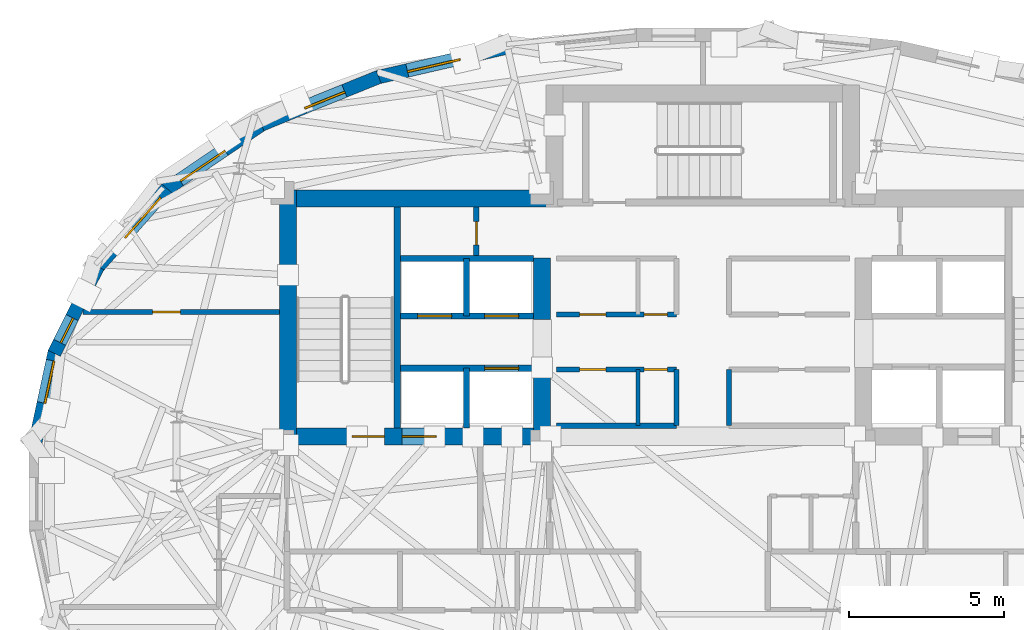
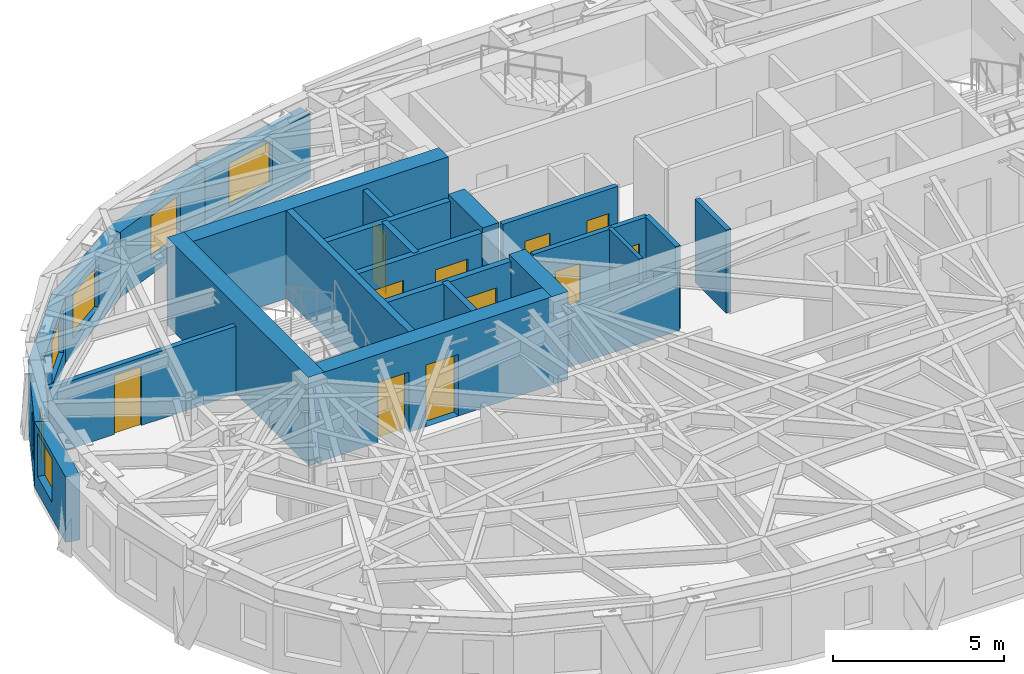
# One storey, part 7 of 13: 25 walls, 11 doors, 6 windows, 17 openings.
"""IFC4 building model written with IfcOpenShell, lengths in metres."""

from ifc_helpers import new_model, si_unit, direction, frame, frame_2d, origin, place, context, subcontext, project, spatial, rectangle, extrude, material, layer, layer_set, type_object, element, fill, save


model = new_model("IFC4")

# Units and contexts
model_context = context("Model", 3, precision=1e-05, world=origin(), true_north=direction((0.0, 1.0)))
body_context = subcontext(model_context, "Body", "Model", "MODEL_VIEW")
ifc_project = project(units=[si_unit("LENGTHUNIT", "METRE"), si_unit("AREAUNIT", "SQUARE_METRE"), si_unit("VOLUMEUNIT", "CUBIC_METRE"), si_unit("PLANEANGLEUNIT", "RADIAN"), si_unit("MASSUNIT", "GRAM", prefix="KILO")], contexts=[model_context])

# Site, building, storey
site_placement = place(None, origin())
site = spatial("IfcSite", under=ifc_project, at=site_placement, CompositionType="ELEMENT")
building_placement = place(site_placement, origin())
building = spatial("IfcBuilding", under=site, at=building_placement, Name="Keldmark Tower", CompositionType="ELEMENT")
storey_placement = place(building_placement, frame((0.0, 0.0, 244.64990234375)))
storey = spatial("IfcBuildingStorey", under=building, at=storey_placement, Name="L69", CompositionType="ELEMENT", Elevation=244.64990234375)

# Walls
ifc_material_1 = material(Name="Concrete C50/60", Category="concrete")
ifc_layer_1 = layer(ifc_material_1, 0.550048828125)
ifc_layer_set_1 = layer_set([ifc_layer_1], Name="Concrete C50/60")
wall_type_1 = type_object("IfcWallType", Name="High-Rise Core Shear Wall 550 mm", PredefinedType="SHEAR", material=ifc_layer_set_1)
wall_1_placement = place(storey_placement, frame((-13.425048828125, 1.300048828125, 0.0), z_axis=(0.0, 0.0, 1.0), x_axis=(0.0, 1.0, 0.0)))
element("IfcWall", 1, at=wall_1_placement, inside=storey, type_object=wall_type_1, Name="L69 West Core Outer Shear Wall", PredefinedType="SHEAR", context=body_context, shape_type="SweptSolid", body=[
    extrude(rectangle(XDim=8.25, YDim=0.550048828125, at=frame_2d((4.125, 0.0))), origin(), (0.0, 0.0, 1.0), 3.150146484375),
])
wall_2_placement = place(storey_placement, frame((-13.699951171875, 9.27490234375, 0.0), z_axis=(0.0, 0.0, 1.0), x_axis=(1.0, 0.0, 0.0)))
element("IfcWall", 2, at=wall_2_placement, inside=storey, type_object=wall_type_1, Name="L69 West Core North Shear Wall", PredefinedType="SHEAR", context=body_context, shape_type="SweptSolid", body=[
    extrude(rectangle(XDim=9.175048828125, YDim=0.550048828125, at=frame_2d((4.58740234375, 0.0))), origin(), (0.0, 0.0, 1.0), 3.150146484375),
])

# Wall, openings, doors
wall_3_placement = place(storey_placement, frame((-4.925048828125, 1.574951171875, 0.0), z_axis=(0.0, 0.0, 1.0), x_axis=(-1.0, 0.0, 0.0)))
wall_3 = element("IfcWall", 3, at=wall_3_placement, inside=storey, type_object=wall_type_1, Name="L69 West Core South Shear Wall", PredefinedType="SHEAR", context=body_context, shape_type="SweptSolid", body=[
    extrude(rectangle(XDim=8.77490234375, YDim=0.550048828125, at=frame_2d((4.387451171875, 0.0))), origin(), (0.0, 0.0, 1.0), 3.150146484375),
])
opening_1_placement = place(wall_3_placement, frame((5.375, 0.0, 0.0)))
opening_1 = element("IfcOpeningElement", 4, at=opening_1_placement, cuts=wall_3, Name="Opening D-ST105", PredefinedType="OPENING", context=body_context, shape_type="SweptSolid", body=[
    extrude(rectangle(XDim=1.050048828125, YDim=2.14990234375, at=frame_2d((0.52490234375, 1.074951171875))), frame((0.0, 0.284912109375, 0.0), z_axis=(0.0, -1.0, 0.0), x_axis=(1.0, 0.0, 0.0)), (0.0, 0.0, 1.0), 0.570068359375),
])
opening_2_placement = place(wall_3_placement, frame((3.705078125, 0.0, 0.0)))
opening_2 = element("IfcOpeningElement", 5, at=opening_2_placement, cuts=wall_3, Name="Opening LD-110", PredefinedType="OPENING", context=body_context, shape_type="SweptSolid", body=[
    extrude(rectangle(XDim=1.10009765625, YDim=2.199951171875, at=frame_2d((0.550048828125, 1.10009765625))), frame((0.0, 0.284912109375, 0.0), z_axis=(0.0, -1.0, 0.0), x_axis=(1.0, 0.0, 0.0)), (0.0, 0.0, 1.0), 0.570068359375),
])
ifc_material_2 = material(Name="Brushed Bronze Hoistway Sliding Leaf", Category="metal")
door_type_1 = type_object("IfcDoorType", Name="Lift Landing Sliding Door 1100x2200", OperationType="SLIDING_TO_LEFT", PredefinedType="DOOR", material=ifc_material_2)
door_1_placement = place(opening_2_placement, origin())
door_1 = element("IfcDoor", 6, at=door_1_placement, inside=storey, type_object=door_type_1, Name="L69 Lift Landing Sliding Door 1100x2200 LD-EL-FS1-L69", OperationType="SLIDING_TO_LEFT", OverallHeight=2.199951171875, OverallWidth=1.10009765625, PredefinedType="DOOR", context=body_context, shape_type="SweptSolid", body=[
    extrude(rectangle(XDim=1.10009765625, YDim=2.199951171875, at=frame_2d((0.550048828125, 1.10009765625))), frame((0.0, 0.02490234375, 0.0), z_axis=(0.0, -1.0, 0.0), x_axis=(1.0, 0.0, 0.0)), (0.0, 0.0, 1.0), 0.050048828125),
])
fill(opening_2, door_1)
ifc_material_3 = material(Name="Hollow Metal Fire-Rated Door Assembly", Category="metal")
door_type_2 = type_object("IfcDoorType", Name="Stair Fire Door 1050x2150", OperationType="NOTDEFINED", PredefinedType="DOOR", material=ifc_material_3)
door_2_placement = place(opening_1_placement, origin())
door_2 = element("IfcDoor", 7, at=door_2_placement, inside=storey, type_object=door_type_2, Name="L69 Stair Fire Door 1050x2150 D-ST1-L69", OperationType="SINGLE_SWING_RIGHT", OverallHeight=2.14990234375, OverallWidth=1.050048828125, PredefinedType="DOOR", context=body_context, shape_type="SweptSolid", body=[
    extrude(rectangle(XDim=1.050048828125, YDim=2.14990234375, at=frame_2d((0.52490234375, 1.074951171875))), frame((0.0, 0.02490234375, 0.0), z_axis=(0.0, -1.0, 0.0), x_axis=(1.0, 0.0, 0.0)), (0.0, 0.0, 1.0), 0.050048828125),
])
fill(opening_1, door_2)

# Walls
wall_4_placement = place(storey_placement, frame((-5.199951171875, 1.300048828125, 0.0), z_axis=(0.0, 0.0, 1.0), x_axis=(0.0, 1.0, 0.0)))
element("IfcWall", 8, at=wall_4_placement, inside=storey, type_object=wall_type_1, Name="L69 West Core Inner Shear Pier South", PredefinedType="SHEAR", context=body_context, shape_type="SweptSolid", body=[
    extrude(rectangle(XDim=2.5, YDim=0.550048828125, at=frame_2d((1.25, 0.0))), origin(), (0.0, 0.0, 1.0), 3.150146484375),
])
wall_5_placement = place(storey_placement, frame((-5.199951171875, 5.35009765625, 0.0), z_axis=(0.0, 0.0, 1.0), x_axis=(0.0, 1.0, 0.0)))
element("IfcWall", 9, at=wall_5_placement, inside=storey, type_object=wall_type_1, Name="L69 West Core Inner Shear Pier North", PredefinedType="SHEAR", context=body_context, shape_type="SweptSolid", body=[
    extrude(rectangle(XDim=2.0, YDim=0.550048828125, at=frame_2d((1.0, 0.0))), origin(), (0.0, 0.0, 1.0), 3.150146484375),
])
ifc_material_4 = material(Name="Acoustic Gypsum Board Interior Partition", Category="gypsum")
ifc_layer_2 = layer(ifc_material_4, 0.1298828125)
ifc_layer_set_2 = layer_set([ifc_layer_2], Name="Acoustic Gypsum Board Interior Partition")
wall_type_2 = type_object("IfcWallType", Name="Interior Partition 130 mm", PredefinedType="PARTITIONING", material=ifc_layer_set_2)
wall_6_placement = place(storey_placement, frame((-2.10009765625, 1.919921875, 0.0), z_axis=(0.0, 0.0, 1.0), x_axis=(0.0, 1.0, 0.0)))
element("IfcWall", 10, at=wall_6_placement, inside=storey, type_object=wall_type_2, Name="L69 Interior Partition 130 mm REC-LW-M", PredefinedType="PARTITIONING", context=body_context, shape_type="SweptSolid", body=[
    extrude(rectangle(XDim=1.820068359375, YDim=0.1298828125, at=frame_2d((0.91015625, 0.0))), origin(), (0.0, 0.0, 1.0), 2.97021484375),
])
ifc_material_5 = material(Name="Type X Fire-Rated Gypsum Partition Assembly", Category="gypsum")
ifc_layer_3 = layer(ifc_material_5, 0.1650390625)
ifc_layer_set_3 = layer_set([ifc_layer_3], Name="Type X Fire-Rated Gypsum Partition Assembly")
wall_type_3 = type_object("IfcWallType", Name="Rated Partition 165 mm", PredefinedType="PARTITIONING", material=ifc_layer_set_3)
wall_7_placement = place(storey_placement, frame((-4.739990234375, 1.919921875, 0.0), z_axis=(0.0, 0.0, 1.0), x_axis=(1.0, 0.0, 0.0)))
element("IfcWall", 11, at=wall_7_placement, inside=storey, type_object=wall_type_3, Name="L69 Rated Partition 165 mm REC-LW-S", PredefinedType="PARTITIONING", context=body_context, shape_type="SweptSolid", body=[
    extrude(rectangle(XDim=3.889892578125, YDim=0.1650390625, at=frame_2d((1.94482421875, 0.0))), origin(), (0.0, 0.0, 1.0), 2.110107421875),
])

# Wall, openings, doors
wall_8_placement = place(storey_placement, frame((-4.739990234375, 3.739990234375, 0.0), z_axis=(0.0, 0.0, 1.0), x_axis=(1.0, 0.0, 0.0)))
wall_8 = element("IfcWall", 12, at=wall_8_placement, inside=storey, type_object=wall_type_3, Name="L69 Rated Partition 165 mm REC-LW-N", PredefinedType="PARTITIONING", context=body_context, shape_type="SweptSolid", body=[
    extrude(rectangle(XDim=3.889892578125, YDim=0.1650390625, at=frame_2d((1.94482421875, 0.0))), origin(), (0.0, 0.0, 1.0), 2.97021484375),
])
opening_3_placement = place(wall_8_placement, frame((0.75, 0.0, 0.0)))
opening_3 = element("IfcOpeningElement", 13, at=opening_3_placement, cuts=wall_8, Name="Opening D-SV085", PredefinedType="OPENING", context=body_context, shape_type="SweptSolid", body=[
    extrude(rectangle(XDim=0.85009765625, YDim=2.10009765625, at=frame_2d((0.425048828125, 1.050048828125))), frame((0.0, 0.092529296875, 0.0), z_axis=(0.0, -1.0, 0.0), x_axis=(1.0, 0.0, 0.0)), (0.0, 0.0, 1.0), 0.18505859375),
])
opening_4_placement = place(wall_8_placement, frame((2.840087890625, 0.0, 0.0)))
opening_4 = element("IfcOpeningElement", 14, at=opening_4_placement, cuts=wall_8, Name="Opening D-RS075", PredefinedType="OPENING", context=body_context, shape_type="SweptSolid", body=[
    extrude(rectangle(XDim=0.75, YDim=2.10009765625, at=frame_2d((0.375, 1.050048828125))), frame((0.0, 0.092529296875, 0.0), z_axis=(0.0, -1.0, 0.0), x_axis=(1.0, 0.0, 0.0)), (0.0, 0.0, 1.0), 0.18505859375),
])
ifc_material_6 = material(Name="Galvanized Fire-Rated Access Leaf", Category="metal")
door_type_3 = type_object("IfcDoorType", Name="Riser Access Door 750x2100", OperationType="NOTDEFINED", PredefinedType="DOOR", material=ifc_material_6)
door_3_placement = place(opening_4_placement, origin())
door_3 = element("IfcDoor", 15, at=door_3_placement, inside=storey, type_object=door_type_3, Name="L69 Riser Access Door 750x2100 D-RECLW2-L69", OperationType="SINGLE_SWING_RIGHT", OverallHeight=2.10009765625, OverallWidth=0.75, PredefinedType="DOOR", context=body_context, shape_type="SweptSolid", body=[
    extrude(rectangle(XDim=0.75, YDim=2.10009765625, at=frame_2d((0.375, 1.050048828125))), frame((0.0, 0.02490234375, 0.0), z_axis=(0.0, -1.0, 0.0), x_axis=(1.0, 0.0, 0.0)), (0.0, 0.0, 1.0), 0.050048828125),
])
fill(opening_4, door_3)
ifc_material_7 = material(Name="Painted Hollow Metal Door Assembly", Category="metal")
door_type_4 = type_object("IfcDoorType", Name="Service Door 850x2100", OperationType="NOTDEFINED", PredefinedType="DOOR", material=ifc_material_7)
door_4_placement = place(opening_3_placement, origin())
door_4 = element("IfcDoor", 16, at=door_4_placement, inside=storey, type_object=door_type_4, Name="L69 Service Door 850x2100 D-RECLW1-L69", OperationType="SINGLE_SWING_LEFT", OverallHeight=2.10009765625, OverallWidth=0.85009765625, PredefinedType="DOOR", context=body_context, shape_type="SweptSolid", body=[
    extrude(rectangle(XDim=0.85009765625, YDim=2.10009765625, at=frame_2d((0.425048828125, 1.050048828125))), frame((0.0, 0.02490234375, 0.0), z_axis=(0.0, -1.0, 0.0), x_axis=(1.0, 0.0, 0.0)), (0.0, 0.0, 1.0), 0.050048828125),
])
fill(opening_3, door_4)

# Walls
for number, where, z_axis, x_axis, name in (
    (17, (-0.85009765625, 1.919921875, 0.0), (0.0, 0.0, 1.0), (0.0, 1.0, 0.0), "L69 Rated Partition 165 mm REC-LW-E"),
    (18, (0.85009765625, 1.919921875, 0.0), (0.0, 0.0, 1.0), (0.0, 1.0, 0.0), "L69 Rated Partition 165 mm REC-LE-W"),
):
    element("IfcWall", number, at=place(storey_placement, frame(where, z_axis=z_axis, x_axis=x_axis)), inside=storey, type_object=wall_type_3, Name=name, PredefinedType="PARTITIONING", context=body_context, shape_type="SweptSolid", body=[
        extrude(rectangle(XDim=1.820068359375, YDim=0.1650390625, at=frame_2d((0.91015625, 0.0))), origin(), (0.0, 0.0, 1.0), 2.97021484375),
    ])

# Wall, openings, doors
wall_9_placement = place(storey_placement, frame((-4.739990234375, 5.52001953125, 0.0), z_axis=(0.0, 0.0, 1.0), x_axis=(1.0, 0.0, 0.0)))
wall_9 = element("IfcWall", 19, at=wall_9_placement, inside=storey, type_object=wall_type_3, Name="L69 Rated Partition 165 mm REC-MW-S", PredefinedType="PARTITIONING", context=body_context, shape_type="SweptSolid", body=[
    extrude(rectangle(XDim=3.889892578125, YDim=0.1650390625, at=frame_2d((1.94482421875, 0.0))), origin(), (0.0, 0.0, 1.0), 2.97021484375),
])
opening_5_placement = place(wall_9_placement, frame((0.75, 0.0, 0.0)))
opening_5 = element("IfcOpeningElement", 20, at=opening_5_placement, cuts=wall_9, Name="Opening D-SV085", PredefinedType="OPENING", context=body_context, shape_type="SweptSolid", body=[
    extrude(rectangle(XDim=0.85009765625, YDim=2.10009765625, at=frame_2d((0.425048828125, 1.050048828125))), frame((0.0, 0.092529296875, 0.0), z_axis=(0.0, -1.0, 0.0), x_axis=(1.0, 0.0, 0.0)), (0.0, 0.0, 1.0), 0.18505859375),
])
opening_6_placement = place(wall_9_placement, frame((2.840087890625, 0.0, 0.0)))
opening_6 = element("IfcOpeningElement", 21, at=opening_6_placement, cuts=wall_9, Name="Opening D-RS075", PredefinedType="OPENING", context=body_context, shape_type="SweptSolid", body=[
    extrude(rectangle(XDim=0.75, YDim=2.10009765625, at=frame_2d((0.375, 1.050048828125))), frame((0.0, 0.092529296875, 0.0), z_axis=(0.0, -1.0, 0.0), x_axis=(1.0, 0.0, 0.0)), (0.0, 0.0, 1.0), 0.18505859375),
])
door_5_placement = place(opening_6_placement, origin())
door_5 = element("IfcDoor", 22, at=door_5_placement, inside=storey, type_object=door_type_3, Name="L69 Riser Access Door 750x2100 D-RECMW2-L69", OperationType="SINGLE_SWING_RIGHT", OverallHeight=2.10009765625, OverallWidth=0.75, PredefinedType="DOOR", context=body_context, shape_type="SweptSolid", body=[
    extrude(rectangle(XDim=0.75, YDim=2.10009765625, at=frame_2d((0.375, 1.050048828125))), frame((0.0, 0.02490234375, 0.0), z_axis=(0.0, -1.0, 0.0), x_axis=(1.0, 0.0, 0.0)), (0.0, 0.0, 1.0), 0.050048828125),
])
fill(opening_6, door_5)
door_6_placement = place(opening_5_placement, origin())
door_6 = element("IfcDoor", 23, at=door_6_placement, inside=storey, type_object=door_type_4, Name="L69 Service Door 850x2100 D-RECMW1-L69", OperationType="SINGLE_SWING_RIGHT", OverallHeight=2.10009765625, OverallWidth=0.85009765625, PredefinedType="DOOR", context=body_context, shape_type="SweptSolid", body=[
    extrude(rectangle(XDim=0.85009765625, YDim=2.10009765625, at=frame_2d((0.425048828125, 1.050048828125))), frame((0.0, 0.02490234375, 0.0), z_axis=(0.0, -1.0, 0.0), x_axis=(1.0, 0.0, 0.0)), (0.0, 0.0, 1.0), 0.050048828125),
])
fill(opening_5, door_6)

# Wall, opening, door
wall_10_placement = place(storey_placement, frame((-7.330078125, 7.419921875, 0.0), z_axis=(0.0, 0.0, 1.0), x_axis=(0.0, 1.0, 0.0)))
wall_10 = element("IfcWall", 24, at=wall_10_placement, inside=storey, type_object=wall_type_3, Name="L69 Rated Partition 165 mm CS-NW-E", PredefinedType="PARTITIONING", context=body_context, shape_type="SweptSolid", body=[
    extrude(rectangle(XDim=1.580078125, YDim=0.1650390625, at=frame_2d((0.7900390625, 0.0))), origin(), (0.0, 0.0, 1.0), 2.97021484375),
])
opening_7_placement = place(wall_10_placement, frame((0.35009765625, 0.0, 0.0)))
opening_7 = element("IfcOpeningElement", 25, at=opening_7_placement, cuts=wall_10, Name="Opening D-RS075", PredefinedType="OPENING", context=body_context, shape_type="SweptSolid", body=[
    extrude(rectangle(XDim=0.75, YDim=2.10009765625, at=frame_2d((0.375, 1.050048828125))), frame((0.0, 0.092529296875, 0.0), z_axis=(0.0, -1.0, 0.0), x_axis=(1.0, 0.0, 0.0)), (0.0, 0.0, 1.0), 0.18505859375),
])
door_7_placement = place(opening_7_placement, origin())
door_7 = element("IfcDoor", 26, at=door_7_placement, inside=storey, type_object=door_type_3, Name="L69 Riser Access Door 750x2100 D-CSNW1-L69", OperationType="SINGLE_SWING_RIGHT", OverallHeight=2.10009765625, OverallWidth=0.75, PredefinedType="DOOR", context=body_context, shape_type="SweptSolid", body=[
    extrude(rectangle(XDim=0.75, YDim=2.10009765625, at=frame_2d((0.375, 1.050048828125))), frame((0.0, 0.02490234375, 0.0), z_axis=(0.0, -1.0, 0.0), x_axis=(1.0, 0.0, 0.0)), (0.0, 0.0, 1.0), 0.050048828125),
])
fill(opening_7, door_7)

wall_11_placement = place(storey_placement, frame((-20.059814453125, 5.60009765625, 0.0), z_axis=(0.0, 0.0, 1.0), x_axis=(1.0, 0.0, 0.0)))
wall_11 = element("IfcWall", 27, at=wall_11_placement, inside=storey, type_object=wall_type_3, Name="L69 Rated Partition 165 mm RW-NDIV", PredefinedType="PARTITIONING", context=body_context, shape_type="SweptSolid", body=[
    extrude(rectangle(XDim=6.35986328125, YDim=0.1650390625, at=frame_2d((3.179931640625, 0.0))), origin(), (0.0, 0.0, 1.0), 2.423095703125),
])
opening_8_placement = place(wall_11_placement, frame((2.2587890625, 0.0, 0.0)))
opening_8 = element("IfcOpeningElement", 28, at=opening_8_placement, cuts=wall_11, Name="Opening D-IN090", PredefinedType="OPENING", context=body_context, shape_type="SweptSolid", body=[
    extrude(rectangle(XDim=0.89990234375, YDim=2.10009765625, at=frame_2d((0.449951171875, 1.050048828125))), frame((0.0, 0.092529296875, 0.0), z_axis=(0.0, -1.0, 0.0), x_axis=(1.0, 0.0, 0.0)), (0.0, 0.0, 1.0), 0.18505859375),
])
ifc_material_8 = material(Name="Stained American White Oak Veneer", Category="wood")
door_type_5 = type_object("IfcDoorType", Name="Interior Door 900x2100", OperationType="NOTDEFINED", PredefinedType="DOOR", material=ifc_material_8)
door_8_placement = place(opening_8_placement, origin())
door_8 = element("IfcDoor", 29, at=door_8_placement, inside=storey, type_object=door_type_5, Name="L69 Interior Door 900x2100 D-RWN1-L69", OperationType="SINGLE_SWING_LEFT", OverallHeight=2.10009765625, OverallWidth=0.89990234375, PredefinedType="DOOR", context=body_context, shape_type="SweptSolid", body=[
    extrude(rectangle(XDim=0.89990234375, YDim=2.10009765625, at=frame_2d((0.449951171875, 1.050048828125))), frame((0.0, 0.02490234375, 0.0), z_axis=(0.0, -1.0, 0.0), x_axis=(1.0, 0.0, 0.0)), (0.0, 0.0, 1.0), 0.050048828125),
])
fill(opening_8, door_8)

ifc_material_9 = material(Name="Fire-Resistant Type X Gypsum Shaftliner Coreboard", Category="gypsum")
ifc_layer_4 = layer(ifc_material_9, 0.199951171875)
ifc_layer_set_4 = layer_set([ifc_layer_4], Name="Fire-Resistant Type X Gypsum Shaftliner Coreboard")
wall_type_4 = type_object("IfcWallType", Name="Shaft Wall 200 mm", PredefinedType="SOLIDWALL", material=ifc_layer_set_4)
wall_12_placement = place(storey_placement, frame((-9.780029296875, 3.780029296875, 0.0), z_axis=(0.0, 0.0, 1.0), x_axis=(1.0, 0.0, 0.0)))
wall_12 = element("IfcWall", 30, at=wall_12_placement, inside=storey, type_object=wall_type_4, Name="L69 Shaft Wall 200 mm HW-W-S", PredefinedType="SOLIDWALL", context=body_context, shape_type="SweptSolid", body=[
    extrude(rectangle(XDim=4.304931640625, YDim=0.199951171875, at=frame_2d((2.15234375, 0.0))), origin(), (0.0, 0.0, 1.0), 2.97021484375),
])
opening_9_placement = place(wall_12_placement, frame((2.719970703125, 0.0, 0.0)))
opening_9 = element("IfcOpeningElement", 31, at=opening_9_placement, cuts=wall_12, Name="Opening LD-110", PredefinedType="OPENING", context=body_context, shape_type="SweptSolid", body=[
    extrude(rectangle(XDim=1.10009765625, YDim=2.199951171875, at=frame_2d((0.550048828125, 1.10009765625))), frame((0.0, 0.10986328125, 0.0), z_axis=(0.0, -1.0, 0.0), x_axis=(1.0, 0.0, 0.0)), (0.0, 0.0, 1.0), 0.219970703125),
])
door_9_placement = place(opening_9_placement, origin())
door_9 = element("IfcDoor", 32, at=door_9_placement, inside=storey, type_object=door_type_1, Name="L69 Lift Landing Sliding Door 1100x2200 LD-EL-H3-L69", OperationType="SLIDING_TO_LEFT", OverallHeight=2.199951171875, OverallWidth=1.10009765625, PredefinedType="DOOR", context=body_context, shape_type="SweptSolid", body=[
    extrude(rectangle(XDim=1.10009765625, YDim=2.199951171875, at=frame_2d((0.550048828125, 1.10009765625))), frame((0.0, 0.02490234375, 0.0), z_axis=(0.0, -1.0, 0.0), x_axis=(1.0, 0.0, 0.0)), (0.0, 0.0, 1.0), 0.050048828125),
])
fill(opening_9, door_9)

# Wall
wall_13_placement = place(storey_placement, frame((-7.64990234375, 1.85009765625, 0.0), z_axis=(0.0, 0.0, 1.0), x_axis=(0.0, 1.0, 0.0)))
element("IfcWall", 33, at=wall_13_placement, inside=storey, type_object=wall_type_4, Name="L69 Shaft Wall 200 mm HW-W-M", PredefinedType="SOLIDWALL", context=body_context, shape_type="SweptSolid", body=[
    extrude(rectangle(XDim=1.929931640625, YDim=0.199951171875, at=frame_2d((0.96484375, 0.0))), origin(), (0.0, 0.0, 1.0), 2.97021484375),
])

# Wall, openings, doors
wall_14_placement = place(storey_placement, frame((-9.780029296875, 5.469970703125, 0.0), z_axis=(0.0, 0.0, 1.0), x_axis=(1.0, 0.0, 0.0)))
wall_14 = element("IfcWall", 34, at=wall_14_placement, inside=storey, type_object=wall_type_4, Name="L69 Shaft Wall 200 mm HW-W-N", PredefinedType="SOLIDWALL", context=body_context, shape_type="SweptSolid", body=[
    extrude(rectangle(XDim=4.304931640625, YDim=0.199951171875, at=frame_2d((2.15234375, 0.0))), origin(), (0.0, 0.0, 1.0), 2.97021484375),
])
opening_10_placement = place(wall_14_placement, frame((0.550048828125, 0.0, 0.0)))
opening_10 = element("IfcOpeningElement", 35, at=opening_10_placement, cuts=wall_14, Name="Opening LD-110", PredefinedType="OPENING", context=body_context, shape_type="SweptSolid", body=[
    extrude(rectangle(XDim=1.10009765625, YDim=2.199951171875, at=frame_2d((0.550048828125, 1.10009765625))), frame((0.0, 0.10986328125, 0.0), z_axis=(0.0, -1.0, 0.0), x_axis=(1.0, 0.0, 0.0)), (0.0, 0.0, 1.0), 0.219970703125),
])
opening_11_placement = place(wall_14_placement, frame((2.719970703125, 0.0, 0.0)))
opening_11 = element("IfcOpeningElement", 36, at=opening_11_placement, cuts=wall_14, Name="Opening LD-110", PredefinedType="OPENING", context=body_context, shape_type="SweptSolid", body=[
    extrude(rectangle(XDim=1.10009765625, YDim=2.199951171875, at=frame_2d((0.550048828125, 1.10009765625))), frame((0.0, 0.10986328125, 0.0), z_axis=(0.0, -1.0, 0.0), x_axis=(1.0, 0.0, 0.0)), (0.0, 0.0, 1.0), 0.219970703125),
])
door_10_placement = place(opening_10_placement, origin())
door_10 = element("IfcDoor", 37, at=door_10_placement, inside=storey, type_object=door_type_1, Name="L69 Lift Landing Sliding Door 1100x2200 LD-EL-H1-L69", OperationType="SLIDING_TO_LEFT", OverallHeight=2.199951171875, OverallWidth=1.10009765625, PredefinedType="DOOR", context=body_context, shape_type="SweptSolid", body=[
    extrude(rectangle(XDim=1.10009765625, YDim=2.199951171875, at=frame_2d((0.550048828125, 1.10009765625))), frame((0.0, 0.02490234375, 0.0), z_axis=(0.0, -1.0, 0.0), x_axis=(1.0, 0.0, 0.0)), (0.0, 0.0, 1.0), 0.050048828125),
])
fill(opening_10, door_10)
door_11_placement = place(opening_11_placement, origin())
door_11 = element("IfcDoor", 38, at=door_11_placement, inside=storey, type_object=door_type_1, Name="L69 Lift Landing Sliding Door 1100x2200 LD-EL-H2-L69", OperationType="SLIDING_TO_LEFT", OverallHeight=2.199951171875, OverallWidth=1.10009765625, PredefinedType="DOOR", context=body_context, shape_type="SweptSolid", body=[
    extrude(rectangle(XDim=1.10009765625, YDim=2.199951171875, at=frame_2d((0.550048828125, 1.10009765625))), frame((0.0, 0.02490234375, 0.0), z_axis=(0.0, -1.0, 0.0), x_axis=(1.0, 0.0, 0.0)), (0.0, 0.0, 1.0), 0.050048828125),
])
fill(opening_11, door_11)

# Walls
wall_15_placement = place(storey_placement, frame((-9.780029296875, 7.330078125, 0.0), z_axis=(0.0, 0.0, 1.0), x_axis=(1.0, 0.0, 0.0)))
element("IfcWall", 39, at=wall_15_placement, inside=storey, type_object=wall_type_4, Name="L69 Shaft Wall 200 mm HW-W-TOP", PredefinedType="SOLIDWALL", context=body_context, shape_type="SweptSolid", body=[
    extrude(rectangle(XDim=4.304931640625, YDim=0.199951171875, at=frame_2d((2.15234375, 0.0))), origin(), (0.0, 0.0, 1.0), 2.97021484375),
])
wall_16_placement = place(storey_placement, frame((-7.64990234375, 5.469970703125, 0.0), z_axis=(0.0, 0.0, 1.0), x_axis=(0.0, 1.0, 0.0)))
element("IfcWall", 40, at=wall_16_placement, inside=storey, type_object=wall_type_4, Name="L69 Shaft Wall 200 mm HW-W-NM", PredefinedType="SOLIDWALL", context=body_context, shape_type="SweptSolid", body=[
    extrude(rectangle(XDim=1.860107421875, YDim=0.199951171875, at=frame_2d((0.93017578125, 0.0))), origin(), (0.0, 0.0, 1.0), 2.97021484375),
])
ifc_material_10 = material(Name="Concrete C50/60", Category="concrete")
ifc_layer_5 = layer(ifc_material_10, 0.219970703125)
ifc_layer_set_5 = layer_set([ifc_layer_5], Name="Concrete C50/60")
wall_type_5 = type_object("IfcWallType", Name="Stair Core Shear Wall 220 mm", PredefinedType="SHEAR", material=ifc_layer_set_5)
wall_17_placement = place(storey_placement, frame((-9.889892578125, 1.85009765625, 0.0), z_axis=(0.0, 0.0, 1.0), x_axis=(0.0, 1.0, 0.0)))
element("IfcWall", 41, at=wall_17_placement, inside=storey, type_object=wall_type_5, Name="L69 West Stair Core Shear Wall", PredefinedType="SHEAR", context=body_context, shape_type="SweptSolid", body=[
    extrude(rectangle(XDim=7.14990234375, YDim=0.219970703125, at=frame_2d((3.574951171875, 0.0))), origin(), (0.0, 0.0, 1.0), 3.150146484375),
])

# Wall, opening, window
ifc_material_11 = material(Name="Ironspot Manganese Brick and Kasota Buff Limestone Spandrel Assembly", Category="masonry")
ifc_layer_6 = layer(ifc_material_11, 0.43994140625)
ifc_layer_set_6 = layer_set([ifc_layer_6], Name="Ironspot Manganese Brick and Kasota Buff Limestone Spandrel Assembly")
wall_type_6 = type_object("IfcWallType", Name="Tower Brick Pier and Spandrel Wall 440 mm", PredefinedType="STANDARD", material=ifc_layer_set_6)
wall_18_placement = place(storey_placement, frame((-10.520263671875, 13.194580078125, 0.0), z_axis=(0.0, 0.0, 1.0), x_axis=(0.974398936081, 0.224825962391, 0.0)))
wall_18 = element("IfcWall", 42, at=wall_18_placement, inside=storey, type_object=wall_type_6, Name="L69 Exterior Brick and Spandrel Wall 10", PredefinedType="STANDARD", context=body_context, shape_type="SweptSolid", body=[
    extrude(rectangle(XDim=4.25244140625, YDim=0.43994140625, at=frame_2d((2.126220703125, 0.0))), origin(), (0.0, 0.0, 1.0), 2.336181640625),
])
opening_12_placement = place(wall_18_placement, frame((0.982421875, 0.0, 0.550048828125)))
opening_12 = element("IfcOpeningElement", 43, at=opening_12_placement, cuts=wall_18, Name="Opening W-05", PredefinedType="OPENING", context=body_context, shape_type="SweptSolid", body=[
    extrude(rectangle(XDim=1.75, YDim=1.550048828125, at=frame_2d((0.875, 0.77490234375))), frame((0.0, 0.22998046875, 0.0), z_axis=(0.0, -1.0, 0.0), x_axis=(1.0, 0.0, 0.0)), (0.0, 0.0, 1.0), 0.4599609375),
])
ifc_material_12 = material(Name="Thermally Broken Anodized Aluminum and Triple Low-E Argon Glazing", Category="aluminium")
window_type_1 = type_object("IfcWindowType", Name="Residential Deep-Set Window 1750x1550", PartitioningType="DOUBLE_PANEL_VERTICAL", PredefinedType="WINDOW", material=ifc_material_12)
window_1_placement = place(opening_12_placement, origin())
window_1 = element("IfcWindow", 44, at=window_1_placement, inside=storey, type_object=window_type_1, Name="L69 Deep-Set Window 10", OverallHeight=1.550048828125, OverallWidth=1.75, PartitioningType="SINGLE_PANEL", PredefinedType="WINDOW", context=body_context, shape_type="SweptSolid", body=[
    extrude(rectangle(XDim=1.75, YDim=1.550048828125, at=frame_2d((0.875, 0.77490234375))), frame((0.0, -0.010009765625, 0.0), z_axis=(0.0, -1.0, 0.0), x_axis=(1.0, 0.0, 0.0)), (0.0, 0.0, 1.0), 0.06005859375),
])
fill(opening_12, window_1)

wall_19_placement = place(storey_placement, frame((-14.283203125, 11.666015625, 0.0), z_axis=(0.0, 0.0, 1.0), x_axis=(0.926731976866, 0.375723093586, 0.0)))
wall_19 = element("IfcWall", 45, at=wall_19_placement, inside=storey, type_object=wall_type_6, Name="L69 Exterior Brick and Spandrel Wall 11", PredefinedType="STANDARD", context=body_context, shape_type="SweptSolid", body=[
    extrude(rectangle(XDim=4.09619140625, YDim=0.43994140625, at=frame_2d((2.048095703125, 0.0))), origin(), (0.0, 0.0, 1.0), 2.336181640625),
])
opening_13_placement = place(wall_19_placement, frame((1.497802734375, 0.0, 0.550048828125)))
opening_13 = element("IfcOpeningElement", 46, at=opening_13_placement, cuts=wall_19, Name="Opening W-08", PredefinedType="OPENING", context=body_context, shape_type="SweptSolid", body=[
    extrude(rectangle(XDim=1.39990234375, YDim=1.550048828125, at=frame_2d((0.699951171875, 0.77490234375))), frame((0.0, 0.22998046875, 0.0), z_axis=(0.0, -1.0, 0.0), x_axis=(1.0, 0.0, 0.0)), (0.0, 0.0, 1.0), 0.4599609375),
])
ifc_material_13 = material(Name="Thermally Broken Anodized Aluminum and Triple Low-E Argon Glazing", Category="aluminium")
window_type_2 = type_object("IfcWindowType", Name="Residential Corner Punched Window 1400x1550", PartitioningType="SINGLE_PANEL", PredefinedType="WINDOW", material=ifc_material_13)
window_2_placement = place(opening_13_placement, origin())
window_2 = element("IfcWindow", 47, at=window_2_placement, inside=storey, type_object=window_type_2, Name="L69 Deep-Set Window 11", OverallHeight=1.550048828125, OverallWidth=1.39990234375, PartitioningType="SINGLE_PANEL", PredefinedType="WINDOW", context=body_context, shape_type="SweptSolid", body=[
    extrude(rectangle(XDim=1.39990234375, YDim=1.550048828125, at=frame_2d((0.699951171875, 0.77490234375))), frame((0.0, -0.010009765625, 0.0), z_axis=(0.0, -1.0, 0.0), x_axis=(1.0, 0.0, 0.0)), (0.0, 0.0, 1.0), 0.06005859375),
])
fill(opening_13, window_2)

wall_20_placement = place(storey_placement, frame((-17.38134765625, 9.559326171875, 0.0), z_axis=(0.0, 0.0, 1.0), x_axis=(0.827637036896, 0.561263694851, 0.0)))
wall_20 = element("IfcWall", 48, at=wall_20_placement, inside=storey, type_object=wall_type_6, Name="L69 Exterior Brick and Spandrel Wall 12", PredefinedType="STANDARD", context=body_context, shape_type="SweptSolid", body=[
    extrude(rectangle(XDim=3.792724609375, YDim=0.43994140625, at=frame_2d((1.896484375, 0.0))), origin(), (0.0, 0.0, 1.0), 2.336181640625),
])
opening_14_placement = place(wall_20_placement, frame((0.54833984375, 0.0, 0.550048828125)))
opening_14 = element("IfcOpeningElement", 49, at=opening_14_placement, cuts=wall_20, Name="Opening W-05", PredefinedType="OPENING", context=body_context, shape_type="SweptSolid", body=[
    extrude(rectangle(XDim=1.75, YDim=1.550048828125, at=frame_2d((0.875, 0.77490234375))), frame((0.0, 0.22998046875, 0.0), z_axis=(0.0, -1.0, 0.0), x_axis=(1.0, 0.0, 0.0)), (0.0, 0.0, 1.0), 0.4599609375),
])
window_3_placement = place(opening_14_placement, origin())
window_3 = element("IfcWindow", 50, at=window_3_placement, inside=storey, type_object=window_type_1, Name="L69 Deep-Set Window 12", OverallHeight=1.550048828125, OverallWidth=1.75, PartitioningType="SINGLE_PANEL", PredefinedType="WINDOW", context=body_context, shape_type="SweptSolid", body=[
    extrude(rectangle(XDim=1.75, YDim=1.550048828125, at=frame_2d((0.875, 0.77490234375))), frame((0.0, -0.010009765625, 0.0), z_axis=(0.0, -1.0, 0.0), x_axis=(1.0, 0.0, 0.0)), (0.0, 0.0, 1.0), 0.06005859375),
])
fill(opening_14, window_3)

wall_21_placement = place(storey_placement, frame((-19.609619140625, 7.021728515625, 0.0), z_axis=(0.0, 0.0, 1.0), x_axis=(0.66136043846, 0.750068243855, 0.0)))
wall_21 = element("IfcWall", 51, at=wall_21_placement, inside=storey, type_object=wall_type_6, Name="L69 Exterior Brick and Spandrel Wall 13", PredefinedType="STANDARD", context=body_context, shape_type="SweptSolid", body=[
    extrude(rectangle(XDim=3.431884765625, YDim=0.43994140625, at=frame_2d((1.7158203125, 0.0))), origin(), (0.0, 0.0, 1.0), 2.336181640625),
])
opening_15_placement = place(wall_21_placement, frame((1.333984375, 0.0, 0.550048828125)))
opening_15 = element("IfcOpeningElement", 52, at=opening_15_placement, cuts=wall_21, Name="Opening W-05", PredefinedType="OPENING", context=body_context, shape_type="SweptSolid", body=[
    extrude(rectangle(XDim=1.75, YDim=1.550048828125, at=frame_2d((0.875, 0.77490234375))), frame((0.0, 0.22998046875, 0.0), z_axis=(0.0, -1.0, 0.0), x_axis=(1.0, 0.0, 0.0)), (0.0, 0.0, 1.0), 0.4599609375),
])
window_4_placement = place(opening_15_placement, origin())
window_4 = element("IfcWindow", 53, at=window_4_placement, inside=storey, type_object=window_type_1, Name="L69 Deep-Set Window 13", OverallHeight=1.550048828125, OverallWidth=1.75, PartitioningType="SINGLE_PANEL", PredefinedType="WINDOW", context=body_context, shape_type="SweptSolid", body=[
    extrude(rectangle(XDim=1.75, YDim=1.550048828125, at=frame_2d((0.875, 0.77490234375))), frame((0.0, -0.010009765625, 0.0), z_axis=(0.0, -1.0, 0.0), x_axis=(1.0, 0.0, 0.0)), (0.0, 0.0, 1.0), 0.06005859375),
])
fill(opening_15, window_4)

wall_22_placement = place(storey_placement, frame((-20.98779296875, 4.2587890625, 0.0), z_axis=(0.0, 0.0, 1.0), x_axis=(0.448424724145, 0.893820601002, 0.0)))
wall_22 = element("IfcWall", 54, at=wall_22_placement, inside=storey, type_object=wall_type_6, Name="L69 Exterior Brick and Spandrel Wall 14", PredefinedType="STANDARD", context=body_context, shape_type="SweptSolid", body=[
    extrude(rectangle(XDim=3.1435546875, YDim=0.43994140625, at=frame_2d((1.57177734375, 0.0))), origin(), (0.0, 0.0, 1.0), 2.336181640625),
])
opening_16_placement = place(wall_22_placement, frame((0.3994140625, 0.0, 0.580078125)))
opening_16 = element("IfcOpeningElement", 55, at=opening_16_placement, cuts=wall_22, Name="Opening W-09", PredefinedType="OPENING", context=body_context, shape_type="SweptSolid", body=[
    extrude(rectangle(XDim=0.89990234375, YDim=1.35009765625, at=frame_2d((0.449951171875, 0.675048828125))), frame((0.0, 0.22998046875, 0.0), z_axis=(0.0, -1.0, 0.0), x_axis=(1.0, 0.0, 0.0)), (0.0, 0.0, 1.0), 0.4599609375),
])
ifc_material_14 = material(Name="Thermally Broken Anodized Aluminum and Triple Low-E Argon Glazing", Category="aluminium")
window_type_3 = type_object("IfcWindowType", Name="Corner Pier Deep-Set Window 900x1350", PartitioningType="SINGLE_PANEL", PredefinedType="WINDOW", material=ifc_material_14)
window_5_placement = place(opening_16_placement, origin())
window_5 = element("IfcWindow", 56, at=window_5_placement, inside=storey, type_object=window_type_3, Name="L69 Deep-Set Window 14", OverallHeight=1.35009765625, OverallWidth=0.89990234375, PartitioningType="SINGLE_PANEL", PredefinedType="WINDOW", context=body_context, shape_type="SweptSolid", body=[
    extrude(rectangle(XDim=0.89990234375, YDim=1.35009765625, at=frame_2d((0.449951171875, 0.675048828125))), frame((0.0, -0.010009765625, 0.0), z_axis=(0.0, -1.0, 0.0), x_axis=(1.0, 0.0, 0.0)), (0.0, 0.0, 1.0), 0.06005859375),
])
fill(opening_16, window_5)

wall_23_placement = place(storey_placement, frame((-21.59423828125, 1.410400390625, 0.0), z_axis=(0.0, 0.0, 1.0), x_axis=(0.210540350534, 0.977585168053, 0.0)))
wall_23 = element("IfcWall", 57, at=wall_23_placement, inside=storey, type_object=wall_type_6, Name="L69 Exterior Brick and Spandrel Wall 15", PredefinedType="STANDARD", context=body_context, shape_type="SweptSolid", body=[
    extrude(rectangle(XDim=2.96728515625, YDim=0.43994140625, at=frame_2d((1.483642578125, 0.0))), origin(), (0.0, 0.0, 1.0), 2.336181640625),
])
opening_17_placement = place(wall_23_placement, frame((1.270263671875, 0.0, 0.580078125)))
opening_17 = element("IfcOpeningElement", 58, at=opening_17_placement, cuts=wall_23, Name="Opening W-08", PredefinedType="OPENING", context=body_context, shape_type="SweptSolid", body=[
    extrude(rectangle(XDim=1.39990234375, YDim=1.550048828125, at=frame_2d((0.699951171875, 0.77490234375))), frame((0.0, 0.22998046875, 0.0), z_axis=(0.0, -1.0, 0.0), x_axis=(1.0, 0.0, 0.0)), (0.0, 0.0, 1.0), 0.4599609375),
])
window_6_placement = place(opening_17_placement, origin())
window_6 = element("IfcWindow", 59, at=window_6_placement, inside=storey, type_object=window_type_2, Name="L69 Deep-Set Window 15", OverallHeight=1.550048828125, OverallWidth=1.39990234375, PartitioningType="SINGLE_PANEL", PredefinedType="WINDOW", context=body_context, shape_type="SweptSolid", body=[
    extrude(rectangle(XDim=1.39990234375, YDim=1.550048828125, at=frame_2d((0.699951171875, 0.77490234375))), frame((0.0, -0.010009765625, 0.0), z_axis=(0.0, -1.0, 0.0), x_axis=(1.0, 0.0, 0.0)), (0.0, 0.0, 1.0), 0.06005859375),
])
fill(opening_17, window_6)

save(model, "model.ifc")
